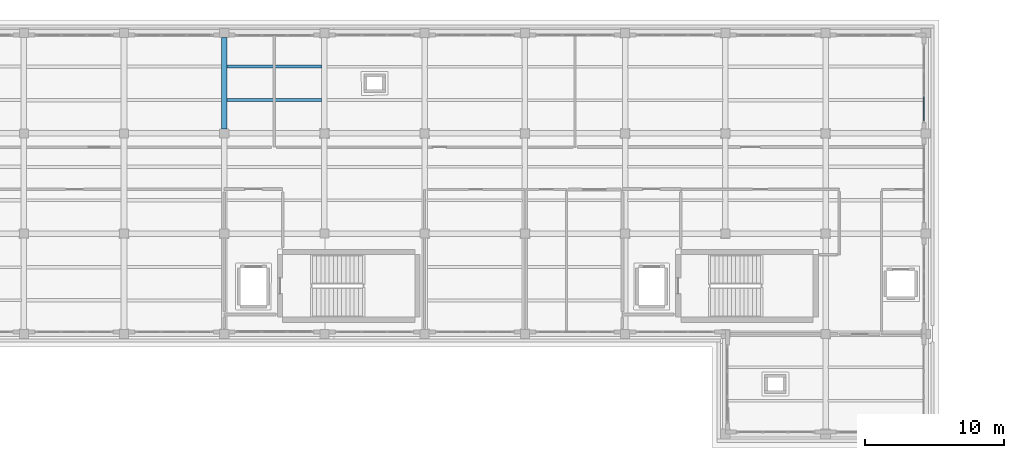
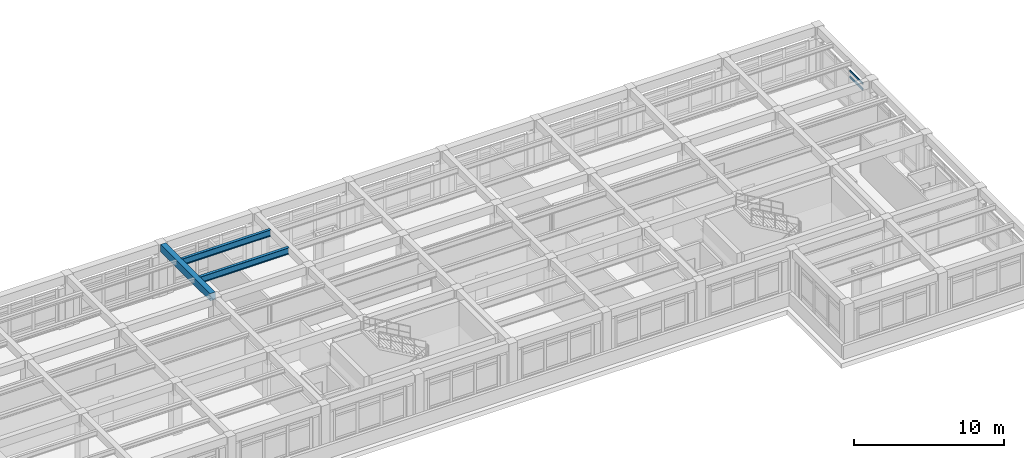
# One storey, part 29 of 55: 3 beams, 2 members, 1 element without a shape of its own.
"""IFC4 building model written with IfcOpenShell, lengths in metres."""

from ifc_helpers import new_model, si_unit, direction, frame, origin, origin_2d, place, context, subcontext, project, spatial, rectangle, i_section, extrude, material, layer, layer_set, material_profile, profile_set, type_object, element, aggregate, save


model = new_model("IFC4")

# Units and contexts
model_context = context("Model", 3, precision=1e-05, world=origin(), true_north=direction((0.0, 1.0)))
body_context = subcontext(model_context, "Body", "Model", "MODEL_VIEW")
ifc_project = project(units=[si_unit("LENGTHUNIT", "METRE"), si_unit("AREAUNIT", "SQUARE_METRE"), si_unit("VOLUMEUNIT", "CUBIC_METRE"), si_unit("PLANEANGLEUNIT", "RADIAN"), si_unit("MASSUNIT", "GRAM", prefix="KILO")], contexts=[model_context])

# Site, building, storey
site_placement = place(None, origin())
site = spatial("IfcSite", under=ifc_project, at=site_placement, CompositionType="ELEMENT")
building_placement = place(site_placement, origin())
building = spatial("IfcBuilding", under=site, at=building_placement, Name="Solenvale Faculty of Natural Sciences", CompositionType="ELEMENT")
storey_placement = place(building_placement, frame((0.0, 0.0, 22.5)))
storey = spatial("IfcBuildingStorey", under=building, at=storey_placement, Name="L05", CompositionType="ELEMENT", Elevation=22.5)

# Beams
ifc_material_1 = material(Name="Concrete 40 MPa", Category="concrete")
ifc_material_profile_1 = material_profile(ifc_material_1, rectangle(XDim=0.39990234375, YDim=0.60009765625, at=origin_2d()), Name="RC-BM-400x600")
ifc_profile_set_1 = profile_set([ifc_material_profile_1], Name="Concrete 40 MPa")
beam_type_1 = type_object("IfcBeamType", Name="BM-RC-400x600", PredefinedType="BEAM", material=ifc_profile_set_1)
beam_placement = place(storey_placement, frame((100.800048828125, 108.304931640625, 3.919921875), z_axis=(0.0, 1.0, 0.0), x_axis=(-1.0, 0.0, 0.0)))
element("IfcBeam", 1, at=beam_placement, inside=storey, type_object=beam_type_1, Name="L05 Y-Girder X100.8 (108.0..115.2)", PredefinedType="BEAM", context=body_context, shape_type="SweptSolid", body=[
    extrude(rectangle(XDim=0.39990234375, YDim=0.60009765625, at=origin_2d()), origin(), (0.0, 0.0, 1.0), 6.590087890625),
])
ifc_material_2 = material(Name="Steel S355", Category="steel")
ifc_material_profile_2 = material_profile(ifc_material_2, i_section(OverallWidth=0.208984375, OverallDepth=0.532958984375, WebThickness=0.01025390625, FlangeThickness=0.015625, FilletRadius=0.01904296875, at=origin_2d()), Name="W530x92")
ifc_profile_set_2 = profile_set([ifc_material_profile_2], Name="Steel S355")
beam_type_2 = type_object("IfcBeamType", Name="BM-STL-W530x92", PredefinedType="JOIST", material=ifc_profile_set_2)
for number, where, z_axis, x_axis, name in (
    (2, (100.97998046875, 110.39990234375, 3.95361328125), (1.0, 0.0, 0.0), (0.0, 1.0, 0.0), "L05 Composite Floor Joist (15,16).1"),
    (3, (100.97998046875, 112.800048828125, 3.95361328125), (1.0, 0.0, 0.0), (0.0, 1.0, 0.0), "L05 Composite Floor Joist (15,16).2"),
):
    element("IfcBeam", number, at=place(storey_placement, frame(where, z_axis=z_axis, x_axis=x_axis)), inside=storey, type_object=beam_type_2, Name=name, PredefinedType="JOIST", context=body_context, shape_type="SweptSolid", body=[
        extrude(i_section(OverallWidth=0.208984375, OverallDepth=0.532958984375, WebThickness=0.01025390625, FlangeThickness=0.015625, FilletRadius=0.01904296875, at=origin_2d()), origin(), (0.0, 0.0, 1.0), 6.840087890625),
    ])

# Curtain wall, members
ifc_material_3 = material(Name="Anodised bronze aluminium", Category="aluminium")
ifc_layer = layer(ifc_material_3, 0.179931640625)
ifc_layer_set = layer_set([ifc_layer], Name="Anodised bronze aluminium")
curtain_wall_type = type_object("IfcCurtainWallType", Name="CW-TWR-MOD", PredefinedType="USERDEFINED", material=ifc_layer_set)
curtain_wall_placement = place(storey_placement, origin())
curtain_wall = element("IfcCurtainWall", 4, at=curtain_wall_placement, inside=storey, type_object=curtain_wall_type, Name="L05 Curtain Wall CW-L05-P2-E2-B3", ObjectType="UNITISED CURTAIN WALL", PredefinedType="USERDEFINED")
ifc_material_profile_3 = material_profile(ifc_material_3, rectangle(XDim=0.074951171875, YDim=0.155029296875, at=origin_2d()), Name="ALU-TRN-75x155")
ifc_profile_set_3 = profile_set([ifc_material_profile_3], Name="Anodised bronze aluminium")
member_type = type_object("IfcMemberType", Name="CWT-ALU-75x155", PredefinedType="USERDEFINED", material=ifc_profile_set_3)
member_1_placement = place(storey_placement, frame((151.0576171875, 108.925048828125, 2.760009765625), z_axis=(0.0, 1.0, 0.0), x_axis=(-1.0, 0.0, 0.0)))
member_1 = element("IfcMember", 5, at=member_1_placement, type_object=member_type, Name="CW-04 transom 1.3", ObjectType="TRANSOM", PredefinedType="USERDEFINED", context=body_context, shape_type="SweptSolid", body=[
    extrude(rectangle(XDim=0.074951171875, YDim=0.155029296875, at=origin_2d()), origin(), (0.0, 0.0, 1.0), 1.720703125),
])
member_2_placement = place(storey_placement, frame((151.0576171875, 108.925048828125, 3.222412109375), z_axis=(0.0, 1.0, 0.0), x_axis=(-1.0, 0.0, 0.0)))
member_2 = element("IfcMember", 6, at=member_2_placement, type_object=member_type, Name="CW-04 transom 1.4", ObjectType="TRANSOM", PredefinedType="USERDEFINED", context=body_context, shape_type="SweptSolid", body=[
    extrude(rectangle(XDim=0.074951171875, YDim=0.155029296875, at=origin_2d()), origin(), (0.0, 0.0, 1.0), 1.720703125),
])
aggregate(curtain_wall, [member_1, member_2])

save(model, "model.ifc")
